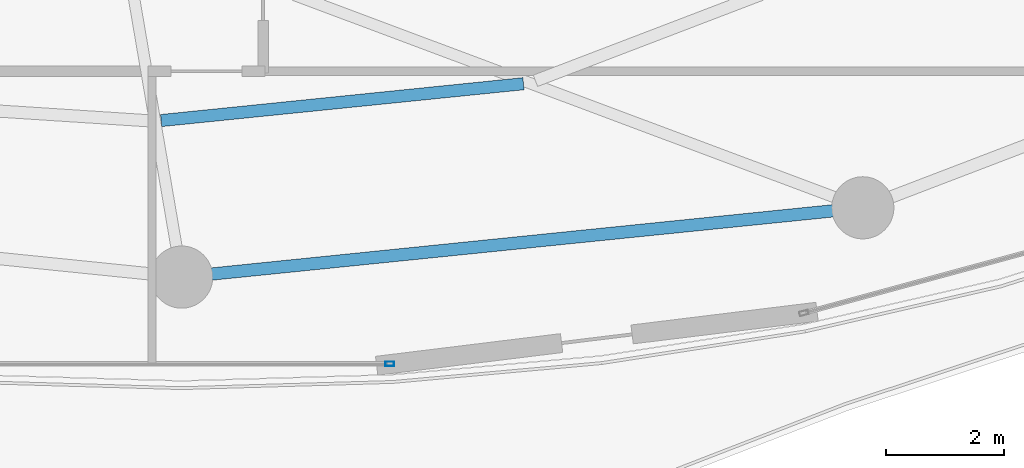
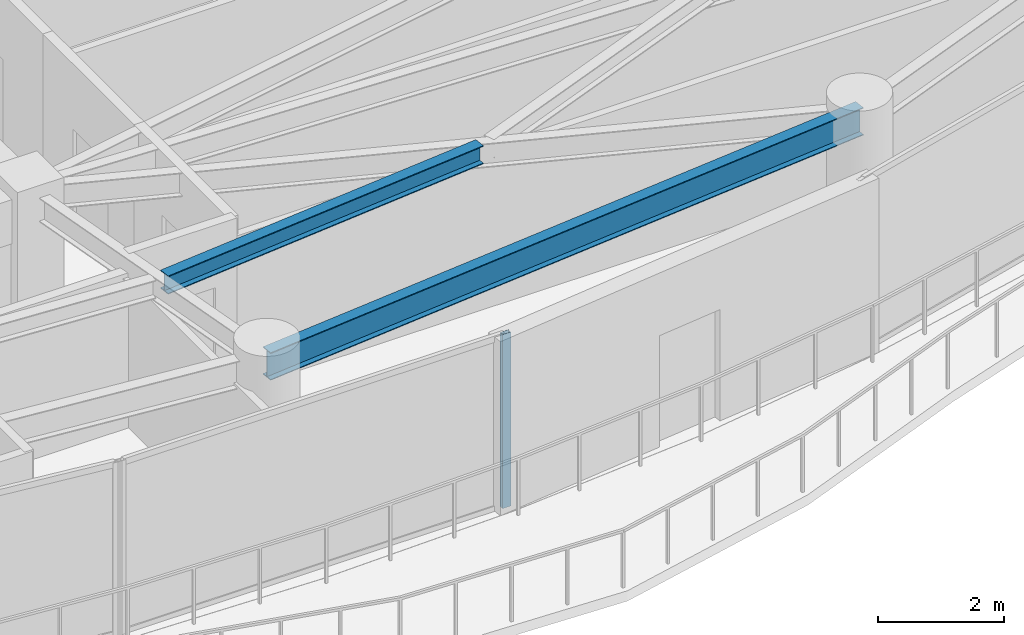
# One storey, part 10 of 31: 2 beams, 1 member, 1 element without a shape of its own.
"""IFC4 building model written with IfcOpenShell, lengths in metres."""

from ifc_helpers import new_model, si_unit, direction, frame, origin, origin_2d, place, context, subcontext, project, spatial, hollow_rectangle, i_section, extrude, material, layer, layer_set, material_profile, profile_set, type_object, element, aggregate, save


model = new_model("IFC4")

# Units and contexts
model_context = context("Model", 3, precision=1e-05, world=origin(), true_north=direction((0.0, 1.0)))
body_context = subcontext(model_context, "Body", "Model", "MODEL_VIEW")
ifc_project = project(units=[si_unit("LENGTHUNIT", "METRE"), si_unit("AREAUNIT", "SQUARE_METRE"), si_unit("VOLUMEUNIT", "CUBIC_METRE"), si_unit("PLANEANGLEUNIT", "RADIAN"), si_unit("MASSUNIT", "GRAM", prefix="KILO")], contexts=[model_context])

# Site, building, storey
site_placement = place(None, origin())
site = spatial("IfcSite", under=ifc_project, at=site_placement, CompositionType="ELEMENT")
building_placement = place(site_placement, origin())
building = spatial("IfcBuilding", under=site, at=building_placement, Name="Kazevale Care Tower and Concert Hall", CompositionType="ELEMENT")
storey_placement = place(building_placement, frame((0.0, 0.0, 238.800048828125)))
storey = spatial("IfcBuildingStorey", under=building, at=storey_placement, Name="L63", CompositionType="ELEMENT", Elevation=238.800048828125)

# Curtain wall, member
ifc_material_1 = material(Name="Aluminium 6063-T6 and Low-E Glass", Category="aluminium")
ifc_layer = layer(ifc_material_1, 0.179931640625)
ifc_layer_set = layer_set([ifc_layer], Name="Aluminium 6063-T6 and Low-E Glass")
curtain_wall_type = type_object("IfcCurtainWallType", Name="Sheltered Concave Balcony Curtain Wall CW-5", PredefinedType="NOTDEFINED", material=ifc_layer_set)
curtain_wall_placement = place(storey_placement, origin())
curtain_wall = element("IfcCurtainWall", 1, at=curtain_wall_placement, inside=storey, type_object=curtain_wall_type, Name="cw:L63:f06", PredefinedType="NOTDEFINED")
ifc_material_2 = material(Name="Aluminium 6063-T6", Category="aluminium")
ifc_material_profile_1 = material_profile(ifc_material_2, hollow_rectangle(XDim=0.074951171875, YDim=0.14990234375, WallThickness=0.00390625, at=origin_2d()), Name="ALU75x150x4")
ifc_profile_set_1 = profile_set([ifc_material_profile_1], Name="Aluminium 6063-T6")
member_type = type_object("IfcMemberType", Name="CW-5 Mullion ALU75x150x4", PredefinedType="MULLION", material=ifc_profile_set_1)
member_placement = place(storey_placement, frame((48.512451171875, 16.284912109375, 0.0), z_axis=(0.0, 0.0, 1.0), x_axis=(0.0, -1.0, 0.0)))
member = element("IfcMember", 2, at=member_placement, type_object=member_type, Name="CW-5 mullion 1", PredefinedType="MULLION", context=body_context, shape_type="SweptSolid", body=[
    extrude(hollow_rectangle(XDim=0.074951171875, YDim=0.14990234375, WallThickness=0.00390625, at=origin_2d()), origin(), (0.0, 0.0, 1.0), 3.35986328125),
])
aggregate(curtain_wall, [member])

# Beams
ifc_material_3 = material(Name="Steel ASTM A572 Gr 50", Category="steel")
ifc_material_profile_2 = material_profile(ifc_material_3, i_section(OverallWidth=0.205078125, OverallDepth=0.35400390625, WebThickness=0.009521484375, FlangeThickness=0.016845703125, at=origin_2d()), Name="W360x79")
ifc_profile_set_2 = profile_set([ifc_material_profile_2], Name="Steel ASTM A572 Gr 50")
beam_type_1 = type_object("IfcBeamType", Name="Secondary Floor Joist W360x79", PredefinedType="JOIST", material=ifc_profile_set_2)
beam_1_placement = place(storey_placement, frame((44.654052734375, 20.39306640625, 3.182861328125), z_axis=(0.994872697807, 0.10113513316, 0.0), x_axis=(-0.10113513316, 0.994872697807, 0.0)))
element("IfcBeam", 3, at=beam_1_placement, inside=storey, type_object=beam_type_1, Name="beam:L63:joist:13", PredefinedType="JOIST", context=body_context, shape_type="SweptSolid", body=[
    extrude(i_section(OverallWidth=0.205078125, OverallDepth=0.35400390625, WebThickness=0.009521484375, FlangeThickness=0.016845703125, at=origin_2d()), origin(), (0.0, 0.0, 1.0), 6.1484375),
])
ifc_material_profile_3 = material_profile(ifc_material_3, i_section(OverallWidth=0.208984375, OverallDepth=0.532958984375, WebThickness=0.01025390625, FlangeThickness=0.015625, at=origin_2d()), Name="W530x92")
ifc_profile_set_3 = profile_set([ifc_material_profile_3], Name="Steel ASTM A572 Gr 50")
beam_type_2 = type_object("IfcBeamType", Name="Upper Ring Beam W530x92", PredefinedType="BEAM", material=ifc_profile_set_3)
beam_2_placement = place(storey_placement, frame((45.0, 17.75, 3.093505859375), z_axis=(0.994865089307, 0.101209950492, 0.0), x_axis=(-0.101209950492, 0.994865089307, 0.0)))
element("IfcBeam", 4, at=beam_2_placement, inside=storey, type_object=beam_type_2, Name="beam:L63:ring:13", PredefinedType="BEAM", context=body_context, shape_type="SweptSolid", body=[
    extrude(i_section(OverallWidth=0.208984375, OverallDepth=0.532958984375, WebThickness=0.01025390625, FlangeThickness=0.015625, at=origin_2d()), origin(), (0.0, 0.0, 1.0), 11.559326171875),
])

save(model, "model.ifc")
